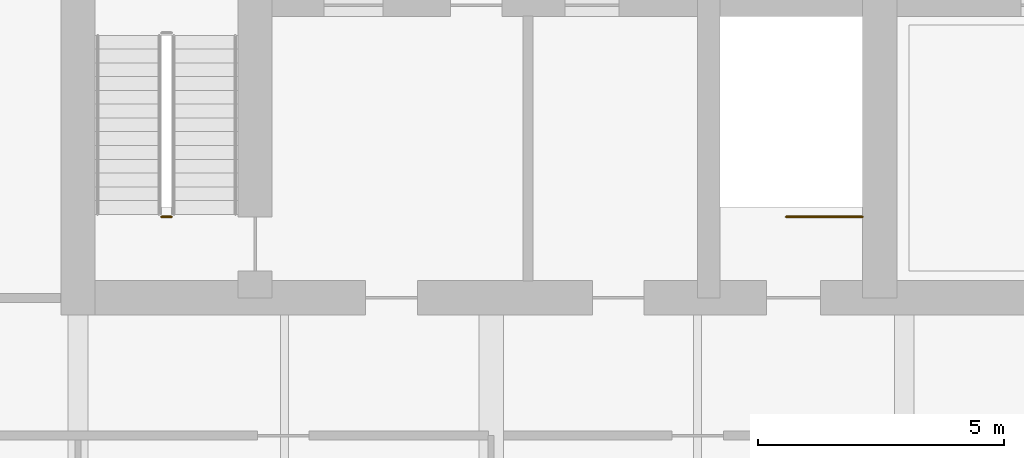
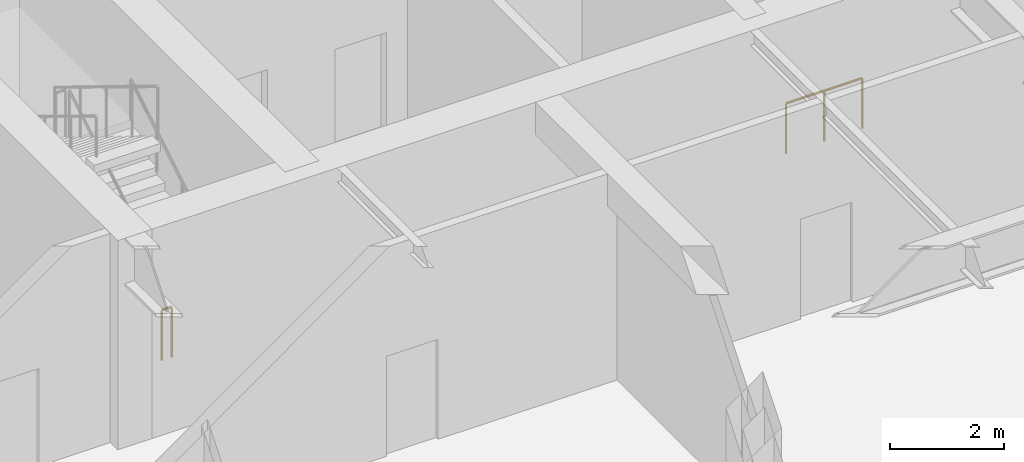
# One storey, part 10 of 14: 2 railings.
"""IFC4 building model written with IfcOpenShell, lengths in metres."""

from ifc_helpers import new_model, si_unit, direction, frame, origin, origin_2d, place, context, subcontext, project, spatial, circle, extrude, material, type_object, element, save


model = new_model("IFC4")

# Units and contexts
model_context = context("Model", 3, precision=1e-05, world=origin(), true_north=direction((0.0, 1.0)))
body_context = subcontext(model_context, "Body", "Model", "MODEL_VIEW")
ifc_project = project(units=[si_unit("LENGTHUNIT", "METRE"), si_unit("AREAUNIT", "SQUARE_METRE"), si_unit("VOLUMEUNIT", "CUBIC_METRE"), si_unit("PLANEANGLEUNIT", "RADIAN"), si_unit("MASSUNIT", "GRAM", prefix="KILO")], contexts=[model_context])

# Site, building, storey
site_placement = place(None, origin())
site = spatial("IfcSite", under=ifc_project, at=site_placement, CompositionType="ELEMENT")
building_placement = place(site_placement, origin())
building = spatial("IfcBuilding", under=site, at=building_placement, Name="Caelmar Bay Residences", CompositionType="ELEMENT")
storey_placement = place(building_placement, frame((0.0, 0.0, 269.39990234375)))
storey = spatial("IfcBuildingStorey", under=building, at=storey_placement, Name="L76", CompositionType="ELEMENT", Elevation=269.39990234375)

# Railings
ifc_material = material(Name="Painted galvanized steel stair guard 1100 mm", Category="steel")
railing_type = type_object("IfcRailingType", Name="RL-GRD-1100", PredefinedType="GUARDRAIL", material=ifc_material)
railing_1_placement = place(storey_placement, frame((20.199951171875, 38.64990234375, 0.0)))
element("IfcRailing", 1, at=railing_1_placement, inside=storey, type_object=railing_type, Name="L76 ST1 stair guard 4", PredefinedType="GUARDRAIL", context=body_context, shape_type="SweptSolid", body=[
    extrude(circle(Radius=0.02392578125, at=origin_2d()), frame((0.0, 0.0, 1.076171875), z_axis=(-1.0, 0.0, 0.0), x_axis=(0.0, -1.0, 0.0)), (0.0, 0.0, 1.0), 0.199951171875),
    extrude(circle(Radius=0.02099609375, at=origin_2d()), origin(), (0.0, 0.0, 1.0), 1.052001953125),
    extrude(circle(Radius=0.02099609375, at=origin_2d()), frame((-0.199951171875, 0.0, 0.0)), (0.0, 0.0, 1.0), 1.052001953125),
])
railing_2_placement = place(storey_placement, frame((34.25, 38.64990234375, 0.0)))
element("IfcRailing", 2, at=railing_2_placement, inside=storey, type_object=railing_type, Name="L76 ST3 top well guard 1", PredefinedType="GUARDRAIL", context=body_context, shape_type="SweptSolid", body=[
    extrude(circle(Radius=0.02392578125, at=origin_2d()), frame((0.0, 0.0, 1.076171875), z_axis=(-1.0, 0.0, 0.0), x_axis=(0.0, -1.0, 0.0)), (0.0, 0.0, 1.0), 1.550048828125),
    extrude(circle(Radius=0.02099609375, at=origin_2d()), origin(), (0.0, 0.0, 1.0), 1.052001953125),
    extrude(circle(Radius=0.02099609375, at=origin_2d()), frame((-0.77490234375, 0.0, 0.0)), (0.0, 0.0, 1.0), 1.052001953125),
    extrude(circle(Radius=0.02099609375, at=origin_2d()), frame((-1.550048828125, 0.0, 0.0)), (0.0, 0.0, 1.0), 1.052001953125),
])

save(model, "model.ifc")
